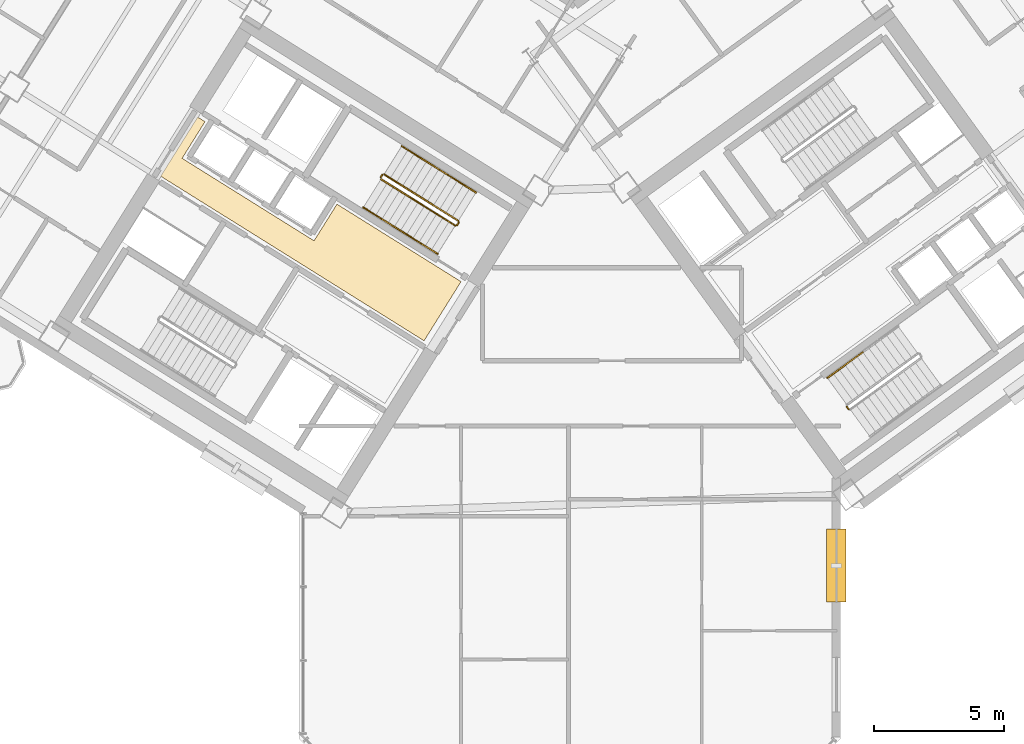
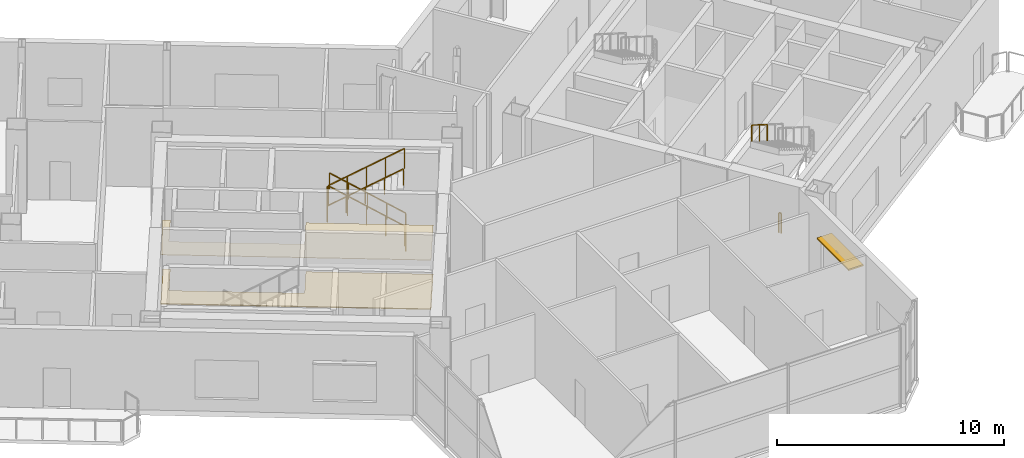
# One storey, part 19 of 21: 10 railings, 2 coverings, 1 shading device.
"""IFC4 building model written with IfcOpenShell, lengths in metres."""

from ifc_helpers import new_model, si_unit, direction, frame, origin, origin_2d, place, context, subcontext, project, spatial, polyline, rectangle, outline, extrude, source, transform, mapped, material, layer, layer_set, type_object, element, save


model = new_model("IFC4")

# Units and contexts
model_context = context("Model", 3, precision=1e-05, world=origin(), true_north=direction((0.0, 1.0)))
body_context = subcontext(model_context, "Body", "Model", "MODEL_VIEW")
ifc_project = project(units=[si_unit("LENGTHUNIT", "METRE"), si_unit("AREAUNIT", "SQUARE_METRE"), si_unit("VOLUMEUNIT", "CUBIC_METRE"), si_unit("PLANEANGLEUNIT", "RADIAN"), si_unit("MASSUNIT", "GRAM", prefix="KILO")], contexts=[model_context])

# Site, building, storey
site_placement = place(None, origin())
site = spatial("IfcSite", under=ifc_project, at=site_placement, CompositionType="ELEMENT")
building_placement = place(site_placement, origin())
building = spatial("IfcBuilding", under=site, at=building_placement, Name="Tlacorven Tower", CompositionType="ELEMENT")
storey_placement = place(building_placement, frame((0.0, 0.0, 100.800048828125)))
storey = spatial("IfcBuildingStorey", under=building, at=storey_placement, Name="L25", CompositionType="ELEMENT", Elevation=100.800048828125)

# Coverings
ifc_material_1 = material(Name="Acoustic mineral-fibre ceiling")
ifc_layer_1 = layer(ifc_material_1, 0.02490234375)
ifc_layer_set_1 = layer_set([ifc_layer_1], Name="Acoustic mineral-fibre ceiling")
covering_type_1 = type_object("IfcCoveringType", Name="CV-CLG-ACST", PredefinedType="CEILING", material=ifc_layer_set_1)
covering_1_placement = place(storey_placement, frame((0.0, 0.0, 2.64990234375)))
element("IfcCovering", 1, at=covering_1_placement, inside=storey, type_object=covering_type_1, Name="L25 Acoustic Suspended Ceiling 2", PredefinedType="CEILING", context=body_context, shape_type="SweptSolid", body=[
    extrude(outline(polyline([(37.8173828125, 20.968017578125), (36.397216796875, 18.6953125), (26.271484375, 25.0224609375), (27.691650390625, 27.295166015625), (27.97998046875, 27.114990234375), (27.100341796875, 25.707275390625), (32.171630859375, 22.538330078125), (33.05126953125, 23.946044921875), (37.8173828125, 20.968017578125)])), origin(), (0.0, 0.0, 1.0), 0.025146484375),
])
ifc_material_2 = material(Name="Terrazzo and ceramic flooring")
ifc_layer_2 = layer(ifc_material_2, 0.0400390625)
ifc_layer_set_2 = layer_set([ifc_layer_2], Name="Terrazzo and ceramic flooring")
covering_type_2 = type_object("IfcCoveringType", Name="CV-FLR-TERZ", PredefinedType="FLOORING", material=ifc_layer_set_2)
covering_2_placement = place(storey_placement, origin())
element("IfcCovering", 2, at=covering_2_placement, inside=storey, type_object=covering_type_2, Name="L25 Terrazzo Floor Finish 2", PredefinedType="FLOORING", context=body_context, shape_type="SweptSolid", body=[
    extrude(outline(polyline([(37.8173828125, 20.968017578125), (36.397216796875, 18.6953125), (26.271484375, 25.0224609375), (27.691650390625, 27.295166015625), (27.97998046875, 27.114990234375), (27.100341796875, 25.707275390625), (32.171630859375, 22.538330078125), (33.05126953125, 23.946044921875), (37.8173828125, 20.968017578125)])), origin(), (0.0, 0.0, 1.0), 0.0400390625),
])

# Shading device
ifc_material_3 = material(Name="Anodised bronze aluminium sunshade", Category="aluminium")
ifc_layer_3 = layer(ifc_material_3, 0.080078125)
ifc_layer_set_3 = layer_set([ifc_layer_3], Name="Anodised bronze aluminium sunshade")
shading_device_type = type_object("IfcShadingDeviceType", Name="SH-SUN-BRZ", PredefinedType="AWNING", material=ifc_layer_set_3)
shared_shape_1 = source(origin(), body_context, "Body", "SweptSolid", [
    extrude(rectangle(XDim=2.800048828125, YDim=0.75, at=origin_2d()), origin(), (0.0, 0.0, 1.0), 0.080078125),
])
shading_device_placement = place(storey_placement, frame((52.239990234375, 10.053955078125, 2.77001953125), z_axis=(0.0, 0.0, 1.0), x_axis=(0.0, -1.0, 0.0)))
element("IfcShadingDevice", 3, at=shading_device_placement, inside=storey, type_object=shading_device_type, Name="L25 Solar Brise-Soleil Sunshade L25-07.1", PredefinedType="AWNING", context=body_context, shape_type="MappedRepresentation", body=[
    mapped(shared_shape_1, transform((0.0, 0.0, 0.0), scale=1.0)),
])

# Railings
ifc_material_4 = material(Name="Aluminium and painted steel balustrade", Category="steel")
railing_type_1 = type_object("IfcRailingType", Name="RL-GRD-1100", PredefinedType="GUARDRAIL", material=ifc_material_4)
shared_shape_2 = source(origin(), body_context, "Body", "SweptSolid", [
    extrude(rectangle(XDim=0.048095703125, YDim=0.048095703125, at=origin_2d()), frame((0.0, 0.0, 1.076171875), z_axis=(-0.530546985787, -0.847655529016, 0.0), x_axis=(0.847655529016, -0.530546985787, 0.0)), (0.0, 0.0, 1.0), 0.1201171875),
    extrude(rectangle(XDim=0.0419921875, YDim=0.0419921875, at=origin_2d()), origin(), (0.0, 0.0, 1.0), 1.052001953125),
    extrude(rectangle(XDim=0.0419921875, YDim=0.0419921875, at=origin_2d()), frame((-0.063720703125, -0.101806640625, 0.0)), (0.0, 0.0, 1.0), 1.052001953125),
])
for number, where, name in (
    (4, (34.7939453125, 25.07421875, 2.25), "L25 ST-W2 stair guard 2"),
    (5, (37.728271484375, 23.24072265625, 0.0), "L25 ST-W2 stair guard 4"),
):
    element("IfcRailing", number, at=place(storey_placement, frame(where)), inside=storey, type_object=railing_type_1, Name=name, PredefinedType="GUARDRAIL", context=body_context, shape_type="MappedRepresentation", body=[
        mapped(shared_shape_2, transform((0.0, 0.0, 0.0), scale=1.0)),
    ])
shared_shape_3 = source(origin(), body_context, "Body", "SweptSolid", [
    extrude(rectangle(XDim=0.048095703125, YDim=0.048095703125, at=origin_2d()), frame((0.0, 0.0, 1.076171875), z_axis=(-0.721354668439, 0.45076168254, 0.525795918465), x_axis=(-0.529927092104, -0.84804320471, 0.0)), (0.0, 0.0, 1.0), 3.949951171875),
    extrude(rectangle(XDim=0.0419921875, YDim=0.0419921875, at=origin_2d()), origin(), (0.0, 0.0, 1.0), 1.052001953125),
    extrude(rectangle(XDim=0.0419921875, YDim=0.0419921875, at=origin_2d()), frame((-0.71240234375, 0.445068359375, 0.519287109375)), (0.0, 0.0, 1.0), 1.052001953125),
    extrude(rectangle(XDim=0.0419921875, YDim=0.0419921875, at=origin_2d()), frame((-1.4248046875, 0.89013671875, 1.03857421875)), (0.0, 0.0, 1.0), 1.052001953125),
    extrude(rectangle(XDim=0.0419921875, YDim=0.0419921875, at=origin_2d()), frame((-2.136962890625, 1.33544921875, 1.5576171875)), (0.0, 0.0, 1.0), 1.052001953125),
    extrude(rectangle(XDim=0.0419921875, YDim=0.0419921875, at=origin_2d()), frame((-2.849365234375, 1.780517578125, 2.076904296875)), (0.0, 0.0, 1.0), 1.052001953125),
])
railing_1_placement = place(storey_placement, frame((37.712158203125, 23.3095703125, 0.173095703125)))
element("IfcRailing", 6, at=railing_1_placement, inside=storey, type_object=railing_type_1, Name="L25 ST-W2 stair guard 1", PredefinedType="GUARDRAIL", context=body_context, shape_type="MappedRepresentation", body=[
    mapped(shared_shape_3, transform((0.0, 0.0, 0.0), scale=1.0)),
])
railing_type_2 = type_object("IfcRailingType", Name="RL-HND-0900", PredefinedType="HANDRAIL", material=ifc_material_4)
shared_shape_4 = source(origin(), body_context, "Body", "SweptSolid", [
    extrude(rectangle(XDim=0.048095703125, YDim=0.048095703125, at=origin_2d()), frame((0.0, 0.0, 0.8759765625), z_axis=(0.721340775611, -0.4507761838, 0.52580254617), x_axis=(0.529946692594, 0.848030956397, 0.0)), (0.0, 0.0, 1.0), 1.97509765625),
    extrude(rectangle(XDim=0.0419921875, YDim=0.0419921875, at=origin_2d()), origin(), (0.0, 0.0, 1.0), 0.851806640625),
    extrude(rectangle(XDim=0.0419921875, YDim=0.0419921875, at=origin_2d()), frame((0.71240234375, -0.4453125, 0.519287109375)), (0.0, 0.0, 1.0), 0.851806640625),
    extrude(rectangle(XDim=0.0419921875, YDim=0.0419921875, at=origin_2d()), frame((1.4248046875, -0.890380859375, 1.03857421875)), (0.0, 0.0, 1.0), 0.851806640625),
])
railing_2_placement = place(storey_placement, frame((35.49267578125, 22.927734375, 3.46142578125)))
element("IfcRailing", 7, at=railing_2_placement, inside=storey, type_object=railing_type_2, Name="L25 ST-W2 stair handrail 4", PredefinedType="HANDRAIL", context=body_context, shape_type="MappedRepresentation", body=[
    mapped(shared_shape_4, transform((0.0, 0.0, 0.0), scale=1.0)),
])
shared_shape_5 = source(origin(), body_context, "Body", "SweptSolid", [
    extrude(rectangle(XDim=0.048095703125, YDim=0.048095703125, at=origin_2d()), frame((0.0, 0.0, 0.8759765625), z_axis=(-0.721387654753, 0.450805479247, 0.525713107551), x_axis=(-0.529946692594, -0.848030956397, 0.0)), (0.0, 0.0, 1.0), 1.97509765625),
    extrude(rectangle(XDim=0.0419921875, YDim=0.0419921875, at=origin_2d()), origin(), (0.0, 0.0, 1.0), 0.851806640625),
    extrude(rectangle(XDim=0.0419921875, YDim=0.0419921875, at=origin_2d()), frame((-0.71240234375, 0.4453125, 0.51904296875)), (0.0, 0.0, 1.0), 0.851806640625),
    extrude(rectangle(XDim=0.0419921875, YDim=0.0419921875, at=origin_2d()), frame((-1.4248046875, 0.890380859375, 1.038330078125)), (0.0, 0.0, 1.0), 0.851806640625),
])
railing_3_placement = place(storey_placement, frame((38.390625, 24.39501953125, 0.173095703125)))
element("IfcRailing", 8, at=railing_3_placement, inside=storey, type_object=railing_type_2, Name="L25 ST-W2 stair handrail 1", PredefinedType="HANDRAIL", context=body_context, shape_type="MappedRepresentation", body=[
    mapped(shared_shape_5, transform((0.0, 0.0, 0.0), scale=1.0)),
])
shared_shape_6 = source(origin(), body_context, "Body", "SweptSolid", [
    extrude(rectangle(XDim=0.048095703125, YDim=0.048095703125, at=origin_2d()), frame((0.0, 0.0, 0.8759765625), z_axis=(-0.721380964259, 0.45067768946, 0.525831840637), x_axis=(-0.52984217967, -0.848096259066, 0.0)), (0.0, 0.0, 1.0), 1.97509765625),
    extrude(rectangle(XDim=0.0419921875, YDim=0.0419921875, at=origin_2d()), origin(), (0.0, 0.0, 1.0), 0.851806640625),
    extrude(rectangle(XDim=0.0419921875, YDim=0.0419921875, at=origin_2d()), frame((-0.71240234375, 0.445068359375, 0.519287109375)), (0.0, 0.0, 1.0), 0.851806640625),
    extrude(rectangle(XDim=0.0419921875, YDim=0.0419921875, at=origin_2d()), frame((-1.4248046875, 0.89013671875, 1.03857421875)), (0.0, 0.0, 1.0), 0.851806640625),
])
railing_4_placement = place(storey_placement, frame((36.9658203125, 25.285400390625, 1.21142578125)))
element("IfcRailing", 9, at=railing_4_placement, inside=storey, type_object=railing_type_2, Name="L25 ST-W2 stair handrail 2", PredefinedType="HANDRAIL", context=body_context, shape_type="MappedRepresentation", body=[
    mapped(shared_shape_6, transform((0.0, 0.0, 0.0), scale=1.0)),
])
shared_shape_7 = source(origin(), body_context, "Body", "SweptSolid", [
    extrude(rectangle(XDim=0.048095703125, YDim=0.048095703125, at=origin_2d()), frame((0.0, 0.0, 1.076171875), z_axis=(0.721354668439, -0.45076168254, 0.525795918465), x_axis=(0.529927092104, 0.84804320471, 0.0)), (0.0, 0.0, 1.0), 3.949951171875),
    extrude(rectangle(XDim=0.0419921875, YDim=0.0419921875, at=origin_2d()), origin(), (0.0, 0.0, 1.0), 1.052001953125),
    extrude(rectangle(XDim=0.0419921875, YDim=0.0419921875, at=origin_2d()), frame((0.71240234375, -0.445068359375, 0.519287109375)), (0.0, 0.0, 1.0), 1.052001953125),
    extrude(rectangle(XDim=0.0419921875, YDim=0.0419921875, at=origin_2d()), frame((1.4248046875, -0.89013671875, 1.03857421875)), (0.0, 0.0, 1.0), 1.052001953125),
    extrude(rectangle(XDim=0.0419921875, YDim=0.0419921875, at=origin_2d()), frame((2.136962890625, -1.33544921875, 1.5576171875)), (0.0, 0.0, 1.0), 1.052001953125),
    extrude(rectangle(XDim=0.0419921875, YDim=0.0419921875, at=origin_2d()), frame((2.849365234375, -1.780517578125, 2.076904296875)), (0.0, 0.0, 1.0), 1.052001953125),
])
railing_5_placement = place(storey_placement, frame((34.746337890625, 24.903564453125, 2.423095703125)))
element("IfcRailing", 10, at=railing_5_placement, inside=storey, type_object=railing_type_1, Name="L25 ST-W2 stair guard 3", PredefinedType="GUARDRAIL", context=body_context, shape_type="MappedRepresentation", body=[
    mapped(shared_shape_7, transform((0.0, 0.0, 0.0), scale=1.0)),
])
shared_shape_8 = source(origin(), body_context, "Body", "SweptSolid", [
    extrude(rectangle(XDim=0.048095703125, YDim=0.048095703125, at=origin_2d()), frame((0.0, 0.0, 0.8759765625), z_axis=(0.721427851237, -0.45070698177, 0.525742400842), x_axis=(0.52984217967, 0.848096259066, 0.0)), (0.0, 0.0, 1.0), 1.97509765625),
    extrude(rectangle(XDim=0.0419921875, YDim=0.0419921875, at=origin_2d()), origin(), (0.0, 0.0, 1.0), 0.851806640625),
    extrude(rectangle(XDim=0.0419921875, YDim=0.0419921875, at=origin_2d()), frame((0.71240234375, -0.445068359375, 0.51904296875)), (0.0, 0.0, 1.0), 0.851806640625),
    extrude(rectangle(XDim=0.0419921875, YDim=0.0419921875, at=origin_2d()), frame((1.4248046875, -0.89013671875, 1.038330078125)), (0.0, 0.0, 1.0), 0.851806640625),
])
railing_6_placement = place(storey_placement, frame((34.06787109375, 23.81787109375, 2.423095703125)))
element("IfcRailing", 11, at=railing_6_placement, inside=storey, type_object=railing_type_2, Name="L25 ST-W2 stair handrail 3", PredefinedType="HANDRAIL", context=body_context, shape_type="MappedRepresentation", body=[
    mapped(shared_shape_8, transform((0.0, 0.0, 0.0), scale=1.0)),
])
shared_shape_9 = source(origin(), body_context, "Body", "SweptSolid", [
    extrude(rectangle(XDim=0.048095703125, YDim=0.048095703125, at=origin_2d()), frame((0.0, 0.0, 1.076171875), z_axis=(-0.587567097037, 0.809175448515, 0.0), x_axis=(-0.809175448515, -0.587567097037, 0.0)), (0.0, 0.0, 1.0), 0.1201171875),
    extrude(rectangle(XDim=0.0419921875, YDim=0.0419921875, at=origin_2d()), origin(), (0.0, 0.0, 1.0), 1.052001953125),
    extrude(rectangle(XDim=0.0419921875, YDim=0.0419921875, at=origin_2d()), frame((-0.070556640625, 0.09716796875, 0.0)), (0.0, 0.0, 1.0), 1.052001953125),
])
railing_7_placement = place(storey_placement, frame((52.71142578125, 16.065673828125, 0.0)))
element("IfcRailing", 12, at=railing_7_placement, inside=storey, type_object=railing_type_1, Name="L25 ST-E2 stair guard 4", PredefinedType="GUARDRAIL", context=body_context, shape_type="MappedRepresentation", body=[
    mapped(shared_shape_9, transform((0.0, 0.0, 0.0), scale=1.0)),
])
shared_shape_10 = source(origin(), body_context, "Body", "SweptSolid", [
    extrude(rectangle(XDim=0.048095703125, YDim=0.048095703125, at=origin_2d()), frame((0.0, 0.0, 0.8759765625), z_axis=(-0.688123352181, -0.499992627909, 0.525826610414), x_axis=(0.587817375869, -0.808993654256, 0.0)), (0.0, 0.0, 1.0), 1.97509765625),
    extrude(rectangle(XDim=0.0419921875, YDim=0.0419921875, at=origin_2d()), origin(), (0.0, 0.0, 1.0), 0.851806640625),
    extrude(rectangle(XDim=0.0419921875, YDim=0.0419921875, at=origin_2d()), frame((-0.6796875, -0.49365234375, 0.519287109375)), (0.0, 0.0, 1.0), 0.851806640625),
    extrude(rectangle(XDim=0.0419921875, YDim=0.0419921875, at=origin_2d()), frame((-1.359130859375, -0.987548828125, 1.03857421875)), (0.0, 0.0, 1.0), 0.851806640625),
])
railing_8_placement = place(storey_placement, frame((53.2587890625, 18.255615234375, 3.46142578125)))
element("IfcRailing", 13, at=railing_8_placement, inside=storey, type_object=railing_type_2, Name="L25 ST-E2 stair handrail 4", PredefinedType="HANDRAIL", context=body_context, shape_type="MappedRepresentation", body=[
    mapped(shared_shape_10, transform((0.0, 0.0, 0.0), scale=1.0)),
])

save(model, "model.ifc")
